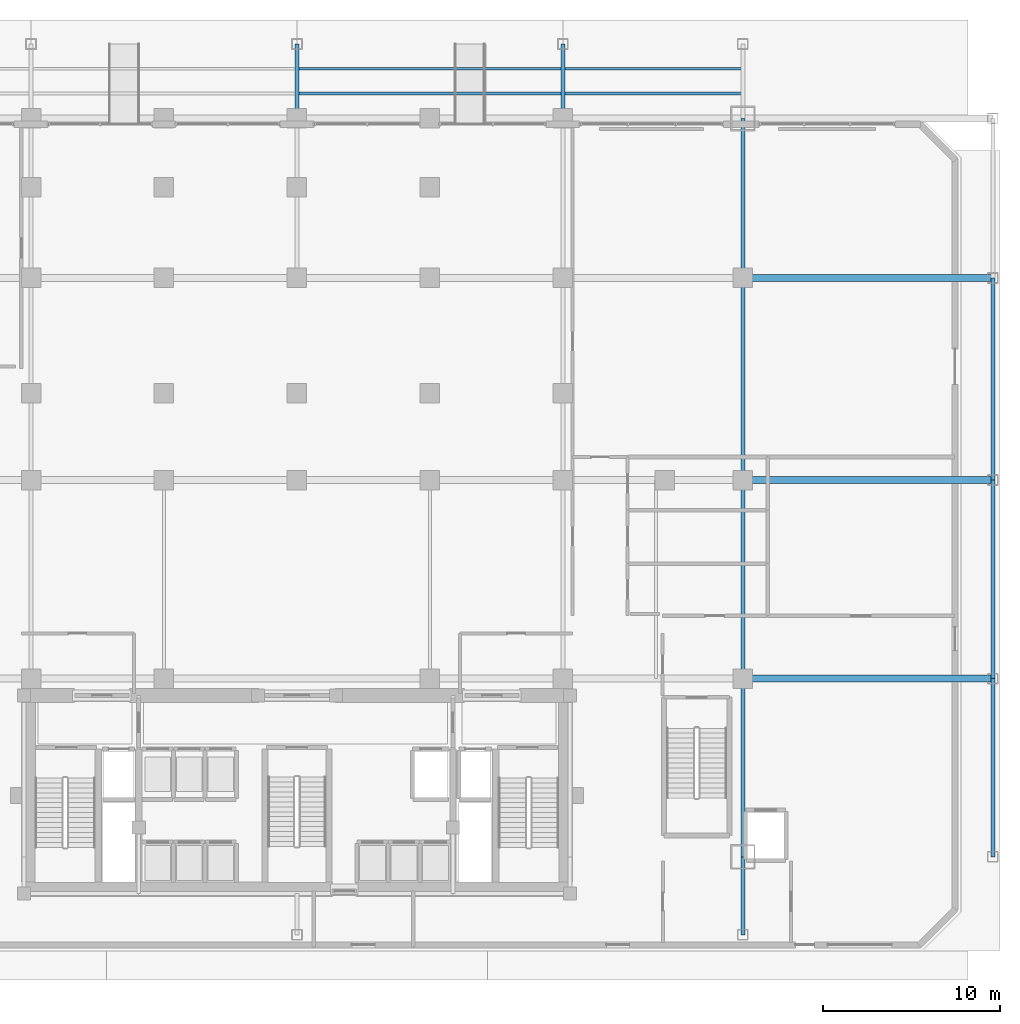
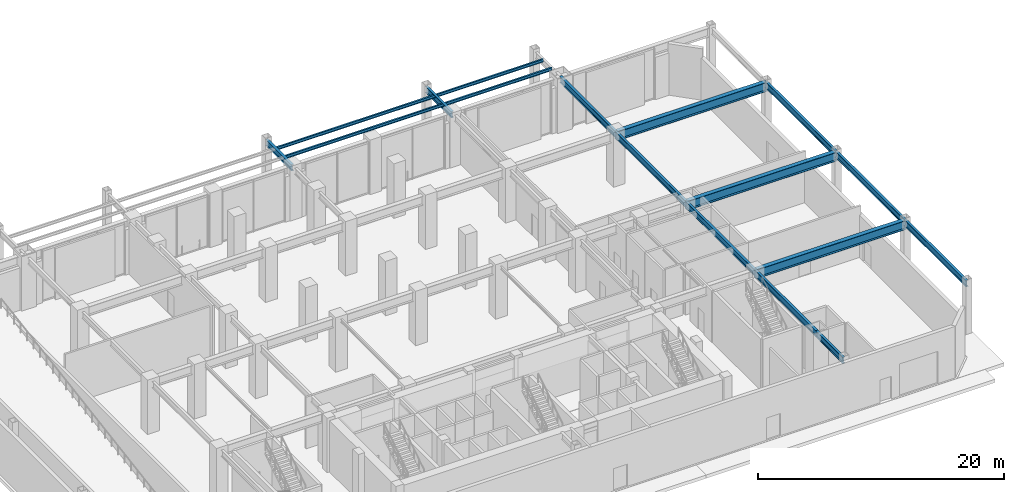
# One storey, part 12 of 23: 13 beams, 4 members.
"""IFC4 building model written with IfcOpenShell, lengths in metres."""

from ifc_helpers import new_model, si_unit, direction, frame, origin, origin_2d, place, context, subcontext, project, spatial, i_section, extrude, material, material_profile, profile_set, type_object, element, save


model = new_model("IFC4")

# Units and contexts
model_context = context("Model", 3, precision=1e-05, world=origin(), true_north=direction((0.0, 1.0)))
body_context = subcontext(model_context, "Body", "Model", "MODEL_VIEW")
ifc_project = project(units=[si_unit("LENGTHUNIT", "METRE"), si_unit("AREAUNIT", "SQUARE_METRE"), si_unit("VOLUMEUNIT", "CUBIC_METRE"), si_unit("PLANEANGLEUNIT", "RADIAN"), si_unit("MASSUNIT", "GRAM", prefix="KILO")], contexts=[model_context])

# Site, building, storey
site_placement = place(None, origin())
site = spatial("IfcSite", under=ifc_project, at=site_placement, CompositionType="ELEMENT")
building_placement = place(site_placement, origin())
building = spatial("IfcBuilding", under=site, at=building_placement, Name="Ventersveld Concourse Tower", CompositionType="ELEMENT")
storey_placement = place(building_placement, origin())
storey = spatial("IfcBuildingStorey", under=building, at=storey_placement, Name="L00", CompositionType="ELEMENT", Elevation=0.0)

# Beams
ifc_material = material(Name="Structural steel S355J2", Category="steel")
ifc_material_profile_1 = material_profile(ifc_material, i_section(OverallWidth=0.39990234375, OverallDepth=0.89990234375, WebThickness=0.02197265625, FlangeThickness=0.035888671875, at=origin_2d()), Name="PG 900x400x36")
ifc_profile_set_1 = profile_set([ifc_material_profile_1], Name="Structural steel S355J2")
beam_type_1 = type_object("IfcBeamType", Name="GRD-PG900", PredefinedType="USERDEFINED", material=ifc_profile_set_1)
for number, where, z_axis, x_axis, name in (
    (1, (53.89990234375, 12.39990234375, 4.64990234375), (1.0, 0.0, 0.0), (0.0, 1.0, 0.0), "L00 Podium Primary Girder Y=12.4m"),
    (2, (53.89990234375, 23.60009765625, 4.64990234375), (1.0, 0.0, 0.0), (0.0, 1.0, 0.0), "L00 Podium Primary Girder Y=23.6m"),
    (3, (53.89990234375, 35.0, 4.64990234375), (1.0, 0.0, 0.0), (0.0, 1.0, 0.0), "L00 Podium Primary Girder Y=35.0m"),
):
    element("IfcBeam", number, at=place(storey_placement, frame(where, z_axis=z_axis, x_axis=x_axis)), inside=storey, type_object=beam_type_1, Name=name, ObjectType="GIRDER", PredefinedType="USERDEFINED", context=body_context, shape_type="SweptSolid", body=[
        extrude(i_section(OverallWidth=0.39990234375, OverallDepth=0.89990234375, WebThickness=0.02197265625, FlangeThickness=0.035888671875, at=origin_2d()), origin(), (0.0, 0.0, 1.0), 14.10009765625),
    ])
ifc_material_profile_2 = material_profile(ifc_material, i_section(OverallWidth=0.230224609375, OverallDepth=0.6171875, WebThickness=0.01318359375, FlangeThickness=0.022216796875, FilletRadius=0.0126953125, at=origin_2d()), Name="UB 610x229x140")
ifc_profile_set_2 = profile_set([ifc_material_profile_2], Name="Structural steel S355J2")
beam_type_2 = type_object("IfcBeamType", Name="GRD-UB610", PredefinedType="USERDEFINED", material=ifc_profile_set_2)
for number, where, z_axis, x_axis, name in (
    (4, (28.75, 44.0, 4.79150390625), (0.0, 1.0, 0.0), (-1.0, 0.0, 0.0), "L00 Podium N-S Girder X=28.75m"),
    (5, (43.75, 44.0, 4.79150390625), (0.0, 1.0, 0.0), (-1.0, 0.0, 0.0), "L00 Podium N-S Girder X=43.75m"),
):
    element("IfcBeam", number, at=place(storey_placement, frame(where, z_axis=z_axis, x_axis=x_axis)), inside=storey, type_object=beam_type_2, Name=name, ObjectType="GIRDER", PredefinedType="USERDEFINED", context=body_context, shape_type="SweptSolid", body=[
        extrude(i_section(OverallWidth=0.230224609375, OverallDepth=0.6171875, WebThickness=0.01318359375, FlangeThickness=0.022216796875, FilletRadius=0.0126953125, at=origin_2d()), origin(), (0.0, 0.0, 1.0), 4.199951171875),
    ])
beam_1_placement = place(storey_placement, frame((53.89990234375, -2.050048828125, 4.79150390625), z_axis=(0.0, 1.0, 0.0), x_axis=(-1.0, 0.0, 0.0)))
element("IfcBeam", 6, at=beam_1_placement, inside=storey, type_object=beam_type_2, Name="L00 Podium N-S Girder X=53.90m", ObjectType="GIRDER", PredefinedType="USERDEFINED", context=body_context, shape_type="SweptSolid", body=[
    extrude(i_section(OverallWidth=0.230224609375, OverallDepth=0.6171875, WebThickness=0.01318359375, FlangeThickness=0.022216796875, FilletRadius=0.0126953125, at=origin_2d()), origin(), (0.0, 0.0, 1.0), 4.400146484375),
])
beam_2_placement = place(storey_placement, frame((53.89990234375, 2.35009765625, 4.79150390625), z_axis=(0.0, 1.0, 0.0), x_axis=(-1.0, 0.0, 0.0)))
element("IfcBeam", 7, at=beam_2_placement, inside=storey, type_object=beam_type_2, Name="L00 Podium N-S Girder X=53.90m", ObjectType="GIRDER", PredefinedType="USERDEFINED", context=body_context, shape_type="SweptSolid", body=[
    extrude(i_section(OverallWidth=0.230224609375, OverallDepth=0.6171875, WebThickness=0.01318359375, FlangeThickness=0.022216796875, FilletRadius=0.0126953125, at=origin_2d()), origin(), (0.0, 0.0, 1.0), 10.0498046875),
])
beam_3_placement = place(storey_placement, frame((53.89990234375, 12.39990234375, 4.79150390625), z_axis=(0.0, 1.0, 0.0), x_axis=(-1.0, 0.0, 0.0)))
element("IfcBeam", 8, at=beam_3_placement, inside=storey, type_object=beam_type_2, Name="L00 Podium N-S Girder X=53.90m", ObjectType="GIRDER", PredefinedType="USERDEFINED", context=body_context, shape_type="SweptSolid", body=[
    extrude(i_section(OverallWidth=0.230224609375, OverallDepth=0.6171875, WebThickness=0.01318359375, FlangeThickness=0.022216796875, FilletRadius=0.0126953125, at=origin_2d()), origin(), (0.0, 0.0, 1.0), 11.2001953125),
])
beam_4_placement = place(storey_placement, frame((53.89990234375, 23.60009765625, 4.79150390625), z_axis=(0.0, 1.0, 0.0), x_axis=(-1.0, 0.0, 0.0)))
element("IfcBeam", 9, at=beam_4_placement, inside=storey, type_object=beam_type_2, Name="L00 Podium N-S Girder X=53.90m", ObjectType="GIRDER", PredefinedType="USERDEFINED", context=body_context, shape_type="SweptSolid", body=[
    extrude(i_section(OverallWidth=0.230224609375, OverallDepth=0.6171875, WebThickness=0.01318359375, FlangeThickness=0.022216796875, FilletRadius=0.0126953125, at=origin_2d()), origin(), (0.0, 0.0, 1.0), 11.39990234375),
])
beam_5_placement = place(storey_placement, frame((53.89990234375, 35.0, 4.79150390625), z_axis=(0.0, 1.0, 0.0), x_axis=(-1.0, 0.0, 0.0)))
element("IfcBeam", 10, at=beam_5_placement, inside=storey, type_object=beam_type_2, Name="L00 Podium N-S Girder X=53.90m", ObjectType="GIRDER", PredefinedType="USERDEFINED", context=body_context, shape_type="SweptSolid", body=[
    extrude(i_section(OverallWidth=0.230224609375, OverallDepth=0.6171875, WebThickness=0.01318359375, FlangeThickness=0.022216796875, FilletRadius=0.0126953125, at=origin_2d()), origin(), (0.0, 0.0, 1.0), 9.0),
])
beam_6_placement = place(storey_placement, frame((68.0, 2.35009765625, 4.79150390625), z_axis=(0.0, 1.0, 0.0), x_axis=(-1.0, 0.0, 0.0)))
element("IfcBeam", 11, at=beam_6_placement, inside=storey, type_object=beam_type_2, Name="L00 Podium N-S Girder X=68.00m", ObjectType="GIRDER", PredefinedType="USERDEFINED", context=body_context, shape_type="SweptSolid", body=[
    extrude(i_section(OverallWidth=0.230224609375, OverallDepth=0.6171875, WebThickness=0.01318359375, FlangeThickness=0.022216796875, FilletRadius=0.0126953125, at=origin_2d()), origin(), (0.0, 0.0, 1.0), 10.0498046875),
])
beam_7_placement = place(storey_placement, frame((68.0, 12.39990234375, 4.79150390625), z_axis=(0.0, 1.0, 0.0), x_axis=(-1.0, 0.0, 0.0)))
element("IfcBeam", 12, at=beam_7_placement, inside=storey, type_object=beam_type_2, Name="L00 Podium N-S Girder X=68.00m", ObjectType="GIRDER", PredefinedType="USERDEFINED", context=body_context, shape_type="SweptSolid", body=[
    extrude(i_section(OverallWidth=0.230224609375, OverallDepth=0.6171875, WebThickness=0.01318359375, FlangeThickness=0.022216796875, FilletRadius=0.0126953125, at=origin_2d()), origin(), (0.0, 0.0, 1.0), 11.2001953125),
])
beam_8_placement = place(storey_placement, frame((68.0, 23.60009765625, 4.79150390625), z_axis=(0.0, 1.0, 0.0), x_axis=(-1.0, 0.0, 0.0)))
element("IfcBeam", 13, at=beam_8_placement, inside=storey, type_object=beam_type_2, Name="L00 Podium N-S Girder X=68.00m", ObjectType="GIRDER", PredefinedType="USERDEFINED", context=body_context, shape_type="SweptSolid", body=[
    extrude(i_section(OverallWidth=0.230224609375, OverallDepth=0.6171875, WebThickness=0.01318359375, FlangeThickness=0.022216796875, FilletRadius=0.0126953125, at=origin_2d()), origin(), (0.0, 0.0, 1.0), 11.39990234375),
])

# Members
ifc_material_profile_3 = material_profile(ifc_material, i_section(OverallWidth=0.14990234375, OverallDepth=0.300048828125, WebThickness=0.007080078125, FlangeThickness=0.0107421875, FilletRadius=0.014892578125, at=origin_2d()), Name="IPE 300")
ifc_profile_set_3 = profile_set([ifc_material_profile_3], Name="Structural steel S355J2")
member_type = type_object("IfcMemberType", Name="PUR-IPE300", PredefinedType="PURLIN", material=ifc_profile_set_3)
member_1_placement = place(storey_placement, frame((28.75, 45.39990234375, 4.949951171875), z_axis=(1.0, 0.0, 0.0), x_axis=(0.0, 1.0, 0.0)))
element("IfcMember", 14, at=member_1_placement, inside=storey, type_object=member_type, Name="L00 Concourse Canopy Steel Purlin 1-3", PredefinedType="PURLIN", context=body_context, shape_type="SweptSolid", body=[
    extrude(i_section(OverallWidth=0.14990234375, OverallDepth=0.300048828125, WebThickness=0.007080078125, FlangeThickness=0.0107421875, FilletRadius=0.014892578125, at=origin_2d()), origin(), (0.0, 0.0, 1.0), 15.0),
])
member_2_placement = place(storey_placement, frame((43.75, 45.39990234375, 4.949951171875), z_axis=(1.0, 0.0, 0.0), x_axis=(0.0, 1.0, 0.0)))
element("IfcMember", 15, at=member_2_placement, inside=storey, type_object=member_type, Name="L00 Concourse Canopy Steel Purlin 1-4", PredefinedType="PURLIN", context=body_context, shape_type="SweptSolid", body=[
    extrude(i_section(OverallWidth=0.14990234375, OverallDepth=0.300048828125, WebThickness=0.007080078125, FlangeThickness=0.0107421875, FilletRadius=0.014892578125, at=origin_2d()), origin(), (0.0, 0.0, 1.0), 10.14990234375),
])
member_3_placement = place(storey_placement, frame((28.75, 46.800048828125, 4.949951171875), z_axis=(1.0, 0.0, 0.0), x_axis=(0.0, 1.0, 0.0)))
element("IfcMember", 16, at=member_3_placement, inside=storey, type_object=member_type, Name="L00 Concourse Canopy Steel Purlin 2-3", PredefinedType="PURLIN", context=body_context, shape_type="SweptSolid", body=[
    extrude(i_section(OverallWidth=0.14990234375, OverallDepth=0.300048828125, WebThickness=0.007080078125, FlangeThickness=0.0107421875, FilletRadius=0.014892578125, at=origin_2d()), origin(), (0.0, 0.0, 1.0), 15.0),
])
member_4_placement = place(storey_placement, frame((43.75, 46.800048828125, 4.949951171875), z_axis=(1.0, 0.0, 0.0), x_axis=(0.0, 1.0, 0.0)))
element("IfcMember", 17, at=member_4_placement, inside=storey, type_object=member_type, Name="L00 Concourse Canopy Steel Purlin 2-4", PredefinedType="PURLIN", context=body_context, shape_type="SweptSolid", body=[
    extrude(i_section(OverallWidth=0.14990234375, OverallDepth=0.300048828125, WebThickness=0.007080078125, FlangeThickness=0.0107421875, FilletRadius=0.014892578125, at=origin_2d()), origin(), (0.0, 0.0, 1.0), 10.14990234375),
])

save(model, "model.ifc")
